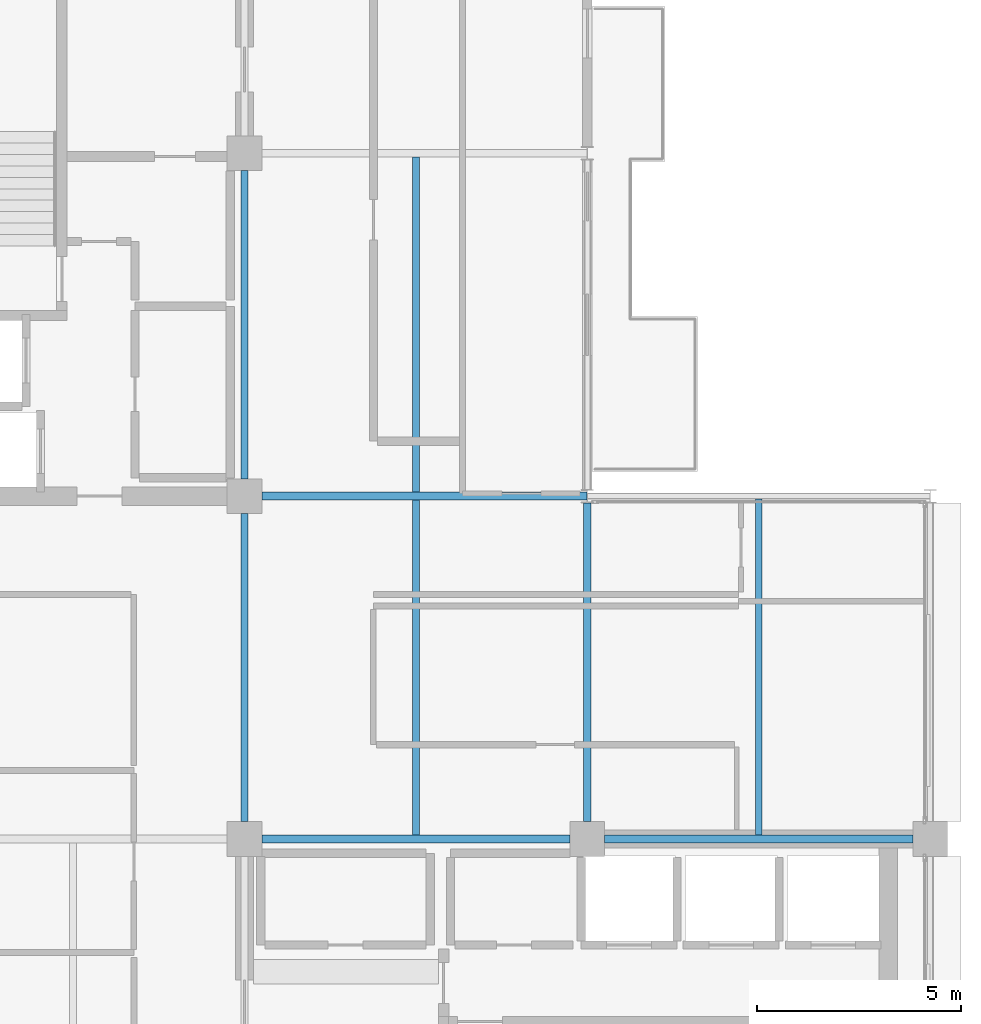
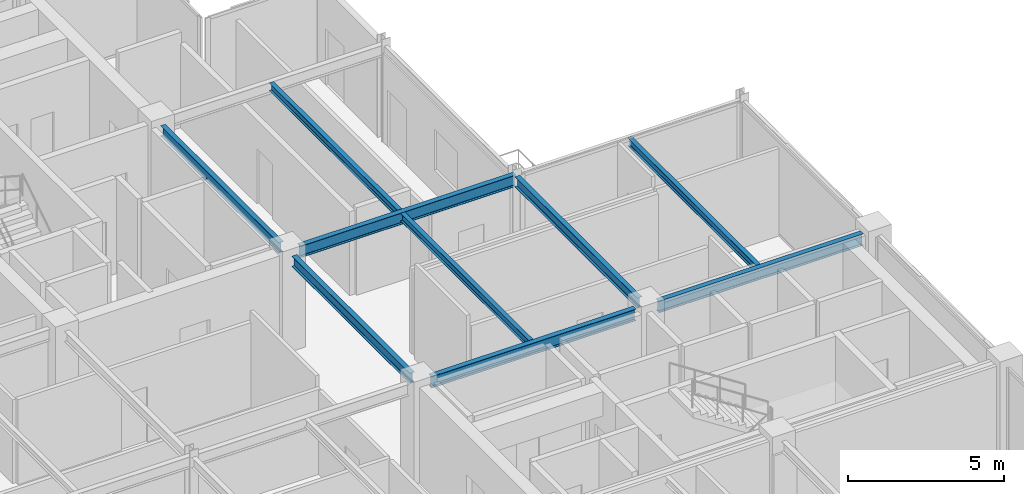
# One storey, part 12 of 25: 9 beams.
"""IFC4 building model written with IfcOpenShell, lengths in metres."""

from ifc_helpers import new_model, si_unit, direction, frame, origin, origin_2d, place, context, subcontext, project, spatial, i_section, extrude, material, material_profile, profile_set, type_object, element, save


model = new_model("IFC4")

# Units and contexts
model_context = context("Model", 3, precision=1e-05, world=origin(), true_north=direction((0.0, 1.0)))
body_context = subcontext(model_context, "Body", "Model", "MODEL_VIEW")
ifc_project = project(units=[si_unit("LENGTHUNIT", "METRE"), si_unit("AREAUNIT", "SQUARE_METRE"), si_unit("VOLUMEUNIT", "CUBIC_METRE"), si_unit("PLANEANGLEUNIT", "RADIAN"), si_unit("MASSUNIT", "GRAM", prefix="KILO")], contexts=[model_context])

# Site, building, storey
site_placement = place(None, origin())
site = spatial("IfcSite", under=ifc_project, at=site_placement, CompositionType="ELEMENT")
building_placement = place(site_placement, origin())
building = spatial("IfcBuilding", under=site, at=building_placement, Name="Nerrivon Quay Data Exchange", CompositionType="ELEMENT")
storey_placement = place(building_placement, frame((0.0, 0.0, 290.199951171875)))
storey = spatial("IfcBuildingStorey", under=building, at=storey_placement, Name="L69", CompositionType="ELEMENT", Elevation=290.199951171875)

# Beams
ifc_material = material(Name="Steel Grade 350", Category="steel")
ifc_material_profile_1 = material_profile(ifc_material, i_section(OverallWidth=0.18994140625, OverallDepth=0.4541015625, WebThickness=0.008544921875, FlangeThickness=0.0126953125, FilletRadius=0.011474609375, at=origin_2d()), Name="460UB67.1")
ifc_profile_set_1 = profile_set([ifc_material_profile_1], Name="Steel Grade 350")
beam_type_1 = type_object("IfcBeamType", Name="BM-G6-460UB67", PredefinedType="BEAM", material=ifc_profile_set_1)
beam_1_placement = place(storey_placement, frame((17.22509765625, 16.800048828125, 3.498046875), z_axis=(1.0, 0.0, 0.0), x_axis=(0.0, 1.0, 0.0)))
element("IfcBeam", 1, at=beam_1_placement, inside=storey, type_object=beam_type_1, Name="L69 EW Girder Y=16.8 (16.8..25.2)", PredefinedType="BEAM", context=body_context, shape_type="SweptSolid", body=[
    extrude(i_section(OverallWidth=0.18994140625, OverallDepth=0.4541015625, WebThickness=0.008544921875, FlangeThickness=0.0126953125, FilletRadius=0.011474609375, at=origin_2d()), origin(), (0.0, 0.0, 1.0), 7.5498046875),
])
beam_2_placement = place(storey_placement, frame((25.625, 16.800048828125, 3.498046875), z_axis=(1.0, 0.0, 0.0), x_axis=(0.0, 1.0, 0.0)))
element("IfcBeam", 2, at=beam_2_placement, inside=storey, type_object=beam_type_1, Name="L69 EW Girder Y=16.8 (25.2..33.6)", PredefinedType="BEAM", context=body_context, shape_type="SweptSolid", body=[
    extrude(i_section(OverallWidth=0.18994140625, OverallDepth=0.4541015625, WebThickness=0.008544921875, FlangeThickness=0.0126953125, FilletRadius=0.011474609375, at=origin_2d()), origin(), (0.0, 0.0, 1.0), 7.550048828125),
])
beam_3_placement = place(storey_placement, frame((17.22509765625, 25.199951171875, 3.498046875), z_axis=(1.0, 0.0, 0.0), x_axis=(0.0, 1.0, 0.0)))
element("IfcBeam", 3, at=beam_3_placement, inside=storey, type_object=beam_type_1, Name="L69 EW Girder Y=25.2 (16.8..25.2)", PredefinedType="BEAM", context=body_context, shape_type="SweptSolid", body=[
    extrude(i_section(OverallWidth=0.18994140625, OverallDepth=0.4541015625, WebThickness=0.008544921875, FlangeThickness=0.0126953125, FilletRadius=0.011474609375, at=origin_2d()), origin(), (0.0, 0.0, 1.0), 7.967041015625),
])
ifc_material_profile_2 = material_profile(ifc_material, i_section(OverallWidth=0.177978515625, OverallDepth=0.406005859375, WebThickness=0.0078125, FlangeThickness=0.0126953125, FilletRadius=0.011474609375, at=origin_2d()), Name="410UB59.7")
ifc_profile_set_2 = profile_set([ifc_material_profile_2], Name="Steel Grade 350")
beam_type_2 = type_object("IfcBeamType", Name="BM-J1-410UB60", PredefinedType="JOIST", material=ifc_profile_set_2)
beam_4_placement = place(storey_placement, frame((16.800048828125, 17.22509765625, 3.52197265625), z_axis=(0.0, 1.0, 0.0), x_axis=(-1.0, 0.0, 0.0)))
element("IfcBeam", 4, at=beam_4_placement, inside=storey, type_object=beam_type_2, Name="L69 NS Girder X=16.8 (16.8..25.2)", PredefinedType="JOIST", context=body_context, shape_type="SweptSolid", body=[
    extrude(i_section(OverallWidth=0.177978515625, OverallDepth=0.406005859375, WebThickness=0.0078125, FlangeThickness=0.0126953125, FilletRadius=0.011474609375, at=origin_2d()), origin(), (0.0, 0.0, 1.0), 7.5498046875),
])
beam_5_placement = place(storey_placement, frame((16.800048828125, 25.625, 3.52197265625), z_axis=(0.0, 1.0, 0.0), x_axis=(-1.0, 0.0, 0.0)))
element("IfcBeam", 5, at=beam_5_placement, inside=storey, type_object=beam_type_2, Name="L69 NS Girder X=16.8 (25.2..33.6)", PredefinedType="JOIST", context=body_context, shape_type="SweptSolid", body=[
    extrude(i_section(OverallWidth=0.177978515625, OverallDepth=0.406005859375, WebThickness=0.0078125, FlangeThickness=0.0126953125, FilletRadius=0.011474609375, at=origin_2d()), origin(), (0.0, 0.0, 1.0), 7.550048828125),
])
beam_6_placement = place(storey_placement, frame((25.199951171875, 17.22509765625, 3.52197265625), z_axis=(0.0, 1.0, 0.0), x_axis=(-1.0, 0.0, 0.0)))
element("IfcBeam", 6, at=beam_6_placement, inside=storey, type_object=beam_type_2, Name="L69 NS Girder X=25.2 (16.8..25.2)", PredefinedType="JOIST", context=body_context, shape_type="SweptSolid", body=[
    extrude(i_section(OverallWidth=0.177978515625, OverallDepth=0.406005859375, WebThickness=0.0078125, FlangeThickness=0.0126953125, FilletRadius=0.011474609375, at=origin_2d()), origin(), (0.0, 0.0, 1.0), 7.8115234375),
])
ifc_material_profile_3 = material_profile(ifc_material, i_section(OverallWidth=0.1650390625, OverallDepth=0.303955078125, WebThickness=0.006103515625, FlangeThickness=0.01025390625, FilletRadius=0.011474609375, at=origin_2d()), Name="310UB40.4")
ifc_profile_set_3 = profile_set([ifc_material_profile_3], Name="Steel Grade 350")
beam_type_3 = type_object("IfcBeamType", Name="BM-J6-310UB40", PredefinedType="JOIST", material=ifc_profile_set_3)
for number, where, z_axis, x_axis, name in (
    (7, (21.0, 16.89501953125, 3.572998046875), (0.0, 1.0, 0.0), (-1.0, 0.0, 0.0), "L69 Secondary Joist X=21.0 (16.8..25.2)"),
    (8, (21.0, 25.294921875, 3.572998046875), (0.0, 1.0, 0.0), (-1.0, 0.0, 0.0), "L69 Secondary Joist X=21.0 (25.2..33.6)"),
):
    element("IfcBeam", number, at=place(storey_placement, frame(where, z_axis=z_axis, x_axis=x_axis)), inside=storey, type_object=beam_type_3, Name=name, PredefinedType="JOIST", context=body_context, shape_type="SweptSolid", body=[
        extrude(i_section(OverallWidth=0.1650390625, OverallDepth=0.303955078125, WebThickness=0.006103515625, FlangeThickness=0.01025390625, FilletRadius=0.011474609375, at=origin_2d()), origin(), (0.0, 0.0, 1.0), 8.2099609375),
    ])
beam_7_placement = place(storey_placement, frame((29.39990234375, 16.89501953125, 3.572998046875), z_axis=(0.0, 1.0, 0.0), x_axis=(-1.0, 0.0, 0.0)))
element("IfcBeam", 9, at=beam_7_placement, inside=storey, type_object=beam_type_3, Name="L69 Secondary Joist X=29.4 (16.8..25.2)", PredefinedType="JOIST", context=body_context, shape_type="SweptSolid", body=[
    extrude(i_section(OverallWidth=0.1650390625, OverallDepth=0.303955078125, WebThickness=0.006103515625, FlangeThickness=0.01025390625, FilletRadius=0.011474609375, at=origin_2d()), origin(), (0.0, 0.0, 1.0), 8.22998046875),
])

save(model, "model.ifc")
